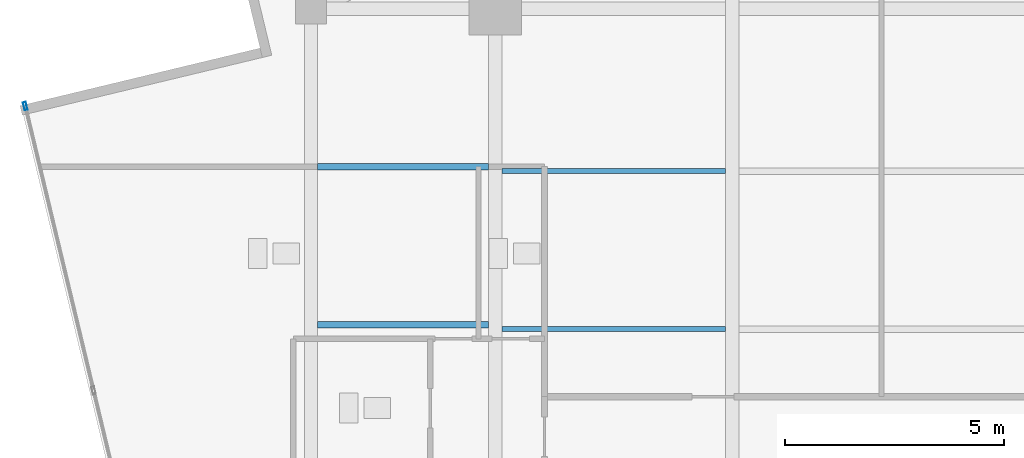
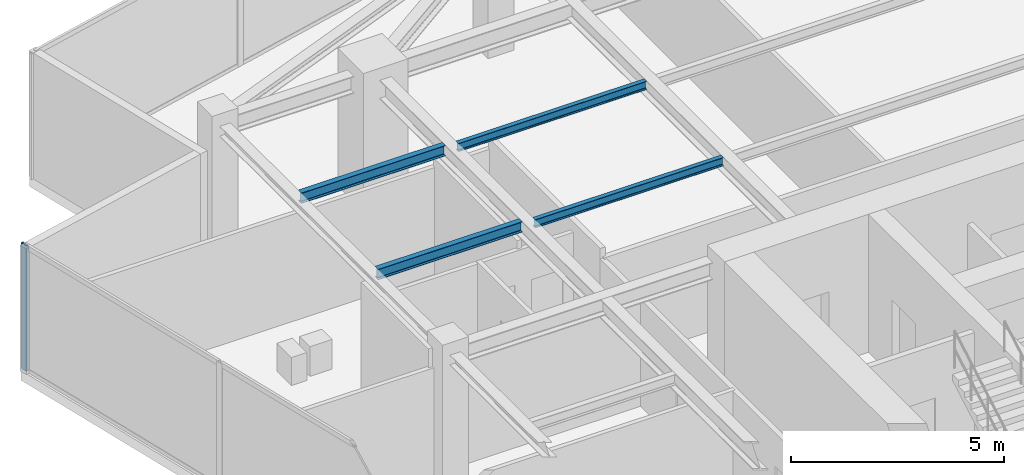
# One storey, part 7 of 22: 4 beams, 1 member, 1 element without a shape of its own.
"""IFC4 building model written with IfcOpenShell, lengths in metres."""

import ifcopenshell
import ifcopenshell.guid

model = None  # the IFC model being written
_history = None  # IfcOwnerHistory: only IFC2X3 demands one
_inside = {}  # id of a spatial element -> (the spatial element, [elements in it])
_under = {}  # id of a project, library or spatial element -> (it, [spatial elements below it])
_declared = {}  # id of a project -> (the project, [libraries it declares])
_typed = {}  # id of a type object -> (the type object, [elements of that type])
_made_of = {}  # id of a material, layer set ... -> (it, [elements and type objects made of it])


def new_model(schema):
    """Start an empty IFC model of exactly this schema.

    Asked for "IFC4X3", IfcOpenShell would pick the latest addendum, in which some entities
    have other attributes; the version numbers below select the first issue.
    IFC2X3 requires an IfcOwnerHistory on every rooted entity: one is made here for all.
    """
    global model, _history
    if schema == "IFC4X3":
        model = ifcopenshell.file(schema_version=(4, 3, 0, 0))
    else:
        model = ifcopenshell.file(schema=schema)
    _inside.clear()
    _under.clear()
    _declared.clear()
    _typed.clear()
    _made_of.clear()
    _history = None
    if model.schema == "IFC2X3":
        org = make("IfcOrganization", Name="unknown")
        user = make(
            "IfcPersonAndOrganization",
            ThePerson=make("IfcPerson", FamilyName="unknown"),
            TheOrganization=org,
        )
        app = make(
            "IfcApplication",
            ApplicationDeveloper=org,
            Version="unknown",
            ApplicationFullName="unknown",
            ApplicationIdentifier="unknown",
        )
        _history = make(
            "IfcOwnerHistory",
            OwningUser=user,
            OwningApplication=app,
            ChangeAction="ADDED",
            CreationDate=0,
        )
    return model


def make(cls, **values):
    """One entity of the class cls with the attributes given. An attribute that is None is left unset."""
    return model.create_entity(
        cls, **{name: value for name, value in values.items() if value is not None}
    )


def rooted(cls, **values):
    """An entity with a GlobalId (a new one), such as an element, a storey or a relation."""
    return make(cls, GlobalId=ifcopenshell.guid.new(), OwnerHistory=_history, **values)


def si_unit(unit_type, name, prefix=None):
    """IfcSIUnit, for example si_unit("LENGTHUNIT", "METRE", prefix="MILLI")."""
    return make("IfcSIUnit", UnitType=unit_type, Prefix=prefix, Name=name)


def assignment(units):
    """IfcUnitAssignment: the units of a project."""
    return None if units is None else make("IfcUnitAssignment", Units=units)


def point(xyz):
    """IfcCartesianPoint."""
    return None if xyz is None else make("IfcCartesianPoint", Coordinates=xyz)


def direction(xyz):
    """IfcDirection."""
    return None if xyz is None else make("IfcDirection", DirectionRatios=xyz)


def frame(location, z_axis=None, x_axis=None):
    """IfcAxis2Placement3D, a coordinate frame: its origin and axes. An axis left out is left unset."""
    return make(
        "IfcAxis2Placement3D",
        Location=point(location),
        Axis=direction(z_axis),
        RefDirection=direction(x_axis),
    )


def frame_2d(location, x_axis=None):
    """IfcAxis2Placement2D, a coordinate frame in the plane: its origin and x axis."""
    return make(
        "IfcAxis2Placement2D", Location=point(location), RefDirection=direction(x_axis)
    )


def origin():
    """The frame at (0, 0, 0) with its axes left unset."""
    return frame((0.0, 0.0, 0.0))


def origin_2d():
    """The frame at (0, 0) in the plane with its x axis left unset."""
    return frame_2d((0.0, 0.0))


def place(relative_to, where):
    """IfcLocalPlacement: puts the frame where relative to a parent placement (None: the world)."""
    return make(
        "IfcLocalPlacement", PlacementRelTo=relative_to, RelativePlacement=where
    )


def context(
    kind, dimensions, precision=None, world=None, true_north=None, identifier=None
):
    """IfcGeometricRepresentationContext, for example the 3D "Model" context."""
    return make(
        "IfcGeometricRepresentationContext",
        ContextIdentifier=identifier,
        ContextType=kind,
        CoordinateSpaceDimension=dimensions,
        Precision=precision,
        WorldCoordinateSystem=world,
        TrueNorth=true_north,
    )


def subcontext(parent, identifier, kind, view, scale=None):
    """IfcGeometricRepresentationSubContext, for example "Body" below "Model"."""
    return make(
        "IfcGeometricRepresentationSubContext",
        ContextIdentifier=identifier,
        ContextType=kind,
        ParentContext=parent,
        TargetScale=scale,
        TargetView=view,
    )


def project(units=None, contexts=None):
    """IfcProject with its units and contexts."""
    return rooted(
        "IfcProject",
        Name="project",
        RepresentationContexts=contexts,
        UnitsInContext=assignment(units),
    )


def spatial(cls, under=None, at=None, **own):
    """A site, building, storey or space (cls), placed at a placement, below another one or the project."""
    s = rooted(cls, ObjectPlacement=at, **own)
    if under is not None:
        _under.setdefault(under.id(), (under, []))[1].append(s)
    return s


def profile(cls, at=None, kind="AREA", **sizes):
    """A parametric profile (cls). Its sizes go by their IFC names, for example OverallWidth=200.0."""
    return make(cls, ProfileType=kind, Position=at, **sizes)


def hollow_rectangle(**sizes):
    """IfcRectangleHollowProfileDef."""
    return profile("IfcRectangleHollowProfileDef", **sizes)


def i_section(**sizes):
    """IfcIShapeProfileDef."""
    return profile("IfcIShapeProfileDef", **sizes)


def extrude(swept, where, along, depth):
    """IfcExtrudedAreaSolid: the profile swept, set in the frame where, extruded along a direction by depth."""
    return make(
        "IfcExtrudedAreaSolid",
        SweptArea=swept,
        Position=where,
        ExtrudedDirection=direction(along),
        Depth=depth,
    )


def shape(context_of_items, identifier, shape_type, items):
    """IfcShapeRepresentation: the items that make up one representation, for example the "Body"."""
    return make(
        "IfcShapeRepresentation",
        ContextOfItems=context_of_items,
        RepresentationIdentifier=identifier,
        RepresentationType=shape_type,
        Items=items,
    )


def source(mapping_origin, context_of_items, identifier, shape_type, items):
    """IfcRepresentationMap: a shape defined once, which mapped items show again and again."""
    return make(
        "IfcRepresentationMap",
        MappingOrigin=mapping_origin,
        MappedRepresentation=shape(context_of_items, identifier, shape_type, items),
    )


def transform(
    local_origin,
    x_axis=None,
    y_axis=None,
    z_axis=None,
    scale=None,
    scale2=None,
    scale3=None,
    uniform=True,
):
    """IfcCartesianTransformationOperator3D, or its non-uniform kind. x_axis, y_axis, z_axis: its Axis1, 2, 3."""
    if uniform:
        return make(
            "IfcCartesianTransformationOperator3D",
            Axis1=direction(x_axis),
            Axis2=direction(y_axis),
            LocalOrigin=point(local_origin),
            Scale=scale,
            Axis3=direction(z_axis),
        )
    return make(
        "IfcCartesianTransformationOperator3DnonUniform",
        Axis1=direction(x_axis),
        Axis2=direction(y_axis),
        LocalOrigin=point(local_origin),
        Scale=scale,
        Axis3=direction(z_axis),
        Scale2=scale2,
        Scale3=scale3,
    )


def mapped(mapping_source, mapping_target):
    """IfcMappedItem: shows the shape of a source again, moved by a transform."""
    return make(
        "IfcMappedItem", MappingSource=mapping_source, MappingTarget=mapping_target
    )


def material(Name=None, Category=None):
    """IfcMaterial."""
    return make("IfcMaterial", Name=Name, Category=Category)


def material_profile(
    of_material, cross_section, Name=None, Category=None, Priority=None
):
    """IfcMaterialProfile: a cross section and its material."""
    return make(
        "IfcMaterialProfile",
        Name=Name,
        Material=of_material,
        Profile=cross_section,
        Priority=Priority,
        Category=Category,
    )


def profile_set(profiles, Name=None, composite=None):
    """IfcMaterialProfileSet."""
    return make(
        "IfcMaterialProfileSet",
        Name=Name,
        MaterialProfiles=profiles,
        CompositeProfile=composite,
    )


def made_of(thing, what):
    """Note that an element or type object is made of a material, layer set ...; save() writes the relation."""
    if what is not None:
        _made_of.setdefault(what.id(), (what, []))[1].append(thing)
    return thing


def type_object(cls, material=None, **own):
    """A type object (cls), such as IfcWallType, which elements share."""
    return made_of(rooted(cls, **own), material)


def type_shapes(of_type, sources):
    """Give a type object the sources (RepresentationMaps) that its elements show as mapped items."""
    of_type.RepresentationMaps = sources


def element(
    cls,
    number,
    at=None,
    inside=None,
    cuts=None,
    type_object=None,
    material=None,
    context=None,
    identifier="Body",
    shape_type=None,
    held_by="IfcProductDefinitionShape",
    body=None,
    shapes=None,
    **own,
):
    """One element of the class cls, such as IfcWall. Its Tag is "e" and its number.

    at: its placement. inside: the storey or other place that contains it. cuts: it is an
    opening in that element (IfcRelVoidsElement). A single representation is given by context,
    identifier, shape_type and body (its items); several are given by shapes. held_by: the class
    of the entity that holds the representations. save() writes the other relations.
    """
    e = rooted(cls, Tag="e%d" % number, ObjectPlacement=at, **own)
    if body is not None:
        shapes = [shape(context, identifier, shape_type, body)]
    if shapes is not None:
        e.Representation = make(held_by, Representations=shapes)
    if inside is not None:
        _inside.setdefault(inside.id(), (inside, []))[1].append(e)
    if cuts is not None:
        rooted(
            "IfcRelVoidsElement", RelatingBuildingElement=cuts, RelatedOpeningElement=e
        )
    if type_object is not None:
        _typed.setdefault(type_object.id(), (type_object, []))[1].append(e)
    return made_of(e, material)


def aggregate(whole, parts):
    """IfcRelAggregates: a whole, such as a stair, and the parts it consists of."""
    return rooted("IfcRelAggregates", RelatingObject=whole, RelatedObjects=parts)


def save(model, path):
    """Write the relations noted so far, then the file.

    IfcRelAggregates (storeys below a building ...), IfcRelContainedInSpatialStructure (elements
    in a storey), IfcRelDefinesByType, IfcRelAssociatesMaterial and IfcRelDeclares: one each for
    every whole, place, type object, material and project.
    """
    for whole, parts in _under.values():
        aggregate(whole, parts)
    for where, things in _inside.values():
        rooted(
            "IfcRelContainedInSpatialStructure",
            RelatedElements=things,
            RelatingStructure=where,
        )
    for kind, things in _typed.values():
        rooted("IfcRelDefinesByType", RelatedObjects=things, RelatingType=kind)
    for what, things in _made_of.values():
        rooted("IfcRelAssociatesMaterial", RelatedObjects=things, RelatingMaterial=what)
    for by, libraries in _declared.values():
        rooted("IfcRelDeclares", RelatingContext=by, RelatedDefinitions=libraries)
    model.write(path)


model = new_model("IFC4")

# Units and contexts
model_context = context("Model", 3, precision=1e-05, world=origin(), true_north=direction((0.0, 1.0)))
body_context = subcontext(model_context, "Body", "Model", "MODEL_VIEW")
ifc_project = project(units=[si_unit("LENGTHUNIT", "METRE"), si_unit("AREAUNIT", "SQUARE_METRE"), si_unit("VOLUMEUNIT", "CUBIC_METRE"), si_unit("PLANEANGLEUNIT", "RADIAN"), si_unit("MASSUNIT", "GRAM", prefix="KILO")], contexts=[model_context])

# Site, building, storey
site_placement = place(None, origin())
site = spatial("IfcSite", under=ifc_project, at=site_placement, CompositionType="ELEMENT")
building_placement = place(site_placement, origin())
building = spatial("IfcBuilding", under=site, at=building_placement, Name="Krantzveldt Concourse Tower", CompositionType="ELEMENT")
storey_placement = place(building_placement, frame((0.0, 0.0, 359.300048828125)))
storey = spatial("IfcBuildingStorey", under=building, at=storey_placement, Name="L88", CompositionType="ELEMENT", Elevation=359.300048828125)

# Beams
ifc_material_1 = material(Name="Steel S355JR", Category="steel")
ifc_material_profile_1 = material_profile(ifc_material_1, i_section(OverallWidth=0.1201171875, OverallDepth=0.239990234375, WebThickness=0.006103515625, FlangeThickness=0.009765625, FilletRadius=0.014892578125, at=origin_2d()), Name="Steel S355JR", Category="steel")
ifc_profile_set_1 = profile_set([ifc_material_profile_1], Name="Steel S355JR - IPE 240")
beam_type_1 = type_object("IfcBeamType", Name="BM-LN-IPE240", PredefinedType="LINTEL", material=ifc_profile_set_1)
shared_shape_1 = source(origin(), body_context, "Body", "SweptSolid", [
    extrude(i_section(OverallWidth=0.1201171875, OverallDepth=0.239990234375, WebThickness=0.006103515625, FlangeThickness=0.009765625, FilletRadius=0.014892578125, at=origin_2d()), origin(), (0.0, 0.0, 1.0), 5.099853515625),
])
type_shapes(beam_type_1, [shared_shape_1])
for number, where, z_axis, x_axis, name in (
    (1, (25.35009765625, 30.199951171875, 3.47998046875), (1.0, 0.0, 0.0), (0.0, 1.0, 0.0), "L88 Secondary Floor Joist JN-W1"),
    (2, (25.35009765625, 33.800048828125, 3.47998046875), (1.0, 0.0, 0.0), (0.0, 1.0, 0.0), "L88 Secondary Floor Joist JN-W2"),
):
    element("IfcBeam", number, at=place(storey_placement, frame(where, z_axis=z_axis, x_axis=x_axis)), inside=storey, type_object=beam_type_1, Name=name, PredefinedType="LINTEL", context=body_context, shape_type="MappedRepresentation", body=[
        mapped(shared_shape_1, transform((0.0, 0.0, 0.0), x_axis=(1.0, 0.0, 0.0), y_axis=(0.0, 1.0, 0.0), z_axis=(0.0, 0.0, 1.0), scale=1.0)),
    ])
ifc_material_profile_2 = material_profile(ifc_material_1, i_section(OverallWidth=0.14990234375, OverallDepth=0.300048828125, WebThickness=0.007080078125, FlangeThickness=0.0107421875, FilletRadius=0.014892578125, at=origin_2d()), Name="Steel S355JR", Category="steel")
ifc_profile_set_2 = profile_set([ifc_material_profile_2], Name="Steel S355JR - IPE 300")
beam_type_2 = type_object("IfcBeamType", Name="BM-J-IPE300", PredefinedType="JOIST", material=ifc_profile_set_2)
shared_shape_2 = source(origin(), body_context, "Body", "SweptSolid", [
    extrude(i_section(OverallWidth=0.14990234375, OverallDepth=0.300048828125, WebThickness=0.007080078125, FlangeThickness=0.0107421875, FilletRadius=0.014892578125, at=origin_2d()), origin(), (0.0, 0.0, 1.0), 3.900146484375),
])
type_shapes(beam_type_2, [shared_shape_2])
for number, where, z_axis, x_axis, name in (
    (3, (21.14990234375, 30.300048828125, 3.449951171875), (1.0, 0.0, 0.0), (0.0, 1.0, 0.0), "L88 Secondary Floor Joist JW-3"),
    (4, (21.14990234375, 33.89990234375, 3.449951171875), (1.0, 0.0, 0.0), (0.0, 1.0, 0.0), "L88 Secondary Floor Joist JW-4"),
):
    element("IfcBeam", number, at=place(storey_placement, frame(where, z_axis=z_axis, x_axis=x_axis)), inside=storey, type_object=beam_type_2, Name=name, PredefinedType="JOIST", context=body_context, shape_type="MappedRepresentation", body=[
        mapped(shared_shape_2, transform((0.0, 0.0, 0.0), x_axis=(1.0, 0.0, 0.0), y_axis=(0.0, 1.0, 0.0), z_axis=(0.0, 0.0, 1.0), scale=1.0)),
    ])

# Curtain wall, member
ifc_material_2 = material(Name="Anodised aluminium 6063-T6", Category="aluminium")
curtain_wall_type = type_object("IfcCurtainWallType", Name="CW4", PredefinedType="USERDEFINED", material=ifc_material_2)
curtain_wall_placement = place(storey_placement, origin())
curtain_wall = element("IfcCurtainWall", 5, at=curtain_wall_placement, inside=storey, type_object=curtain_wall_type, Name="CW-L88-F04", ObjectType="UNITISED CURTAIN WALL", PredefinedType="USERDEFINED")
ifc_material_profile_3 = material_profile(ifc_material_2, hollow_rectangle(XDim=0.070068359375, YDim=0.179931640625, WallThickness=0.0048828125, at=origin_2d()), Name="Anodised aluminium 6063-T6", Category="aluminium")
ifc_profile_set_3 = profile_set([ifc_material_profile_3], Name="Anodised aluminium 6063-T6 - ALU-MULL 180x70x5")
member_type = type_object("IfcMemberType", Name="CW-MUL-180", PredefinedType="MULLION", material=ifc_profile_set_3)
shared_shape_3 = source(origin(), body_context, "Body", "SweptSolid", [
    extrude(hollow_rectangle(XDim=0.070068359375, YDim=0.179931640625, WallThickness=0.0048828125, at=origin_2d()), origin(), (0.0, 0.0, 1.0), 3.599853515625),
])
type_shapes(member_type, [shared_shape_3])
member_placement = place(storey_placement, frame((14.492431640625, 35.28125, 0.0), z_axis=(0.0, 0.0, 1.0), x_axis=(0.972369896884, 0.233445461796, 0.0)))
member = element("IfcMember", 6, at=member_placement, type_object=member_type, Name="CW-Z56 mullion 1", PredefinedType="MULLION", context=body_context, shape_type="MappedRepresentation", body=[
    mapped(shared_shape_3, transform((0.0, 0.0, 0.0), x_axis=(1.0, 0.0, 0.0), y_axis=(0.0, 1.0, 0.0), z_axis=(0.0, 0.0, 1.0), scale=1.0)),
])
aggregate(curtain_wall, [member])

save(model, "model.ifc")
